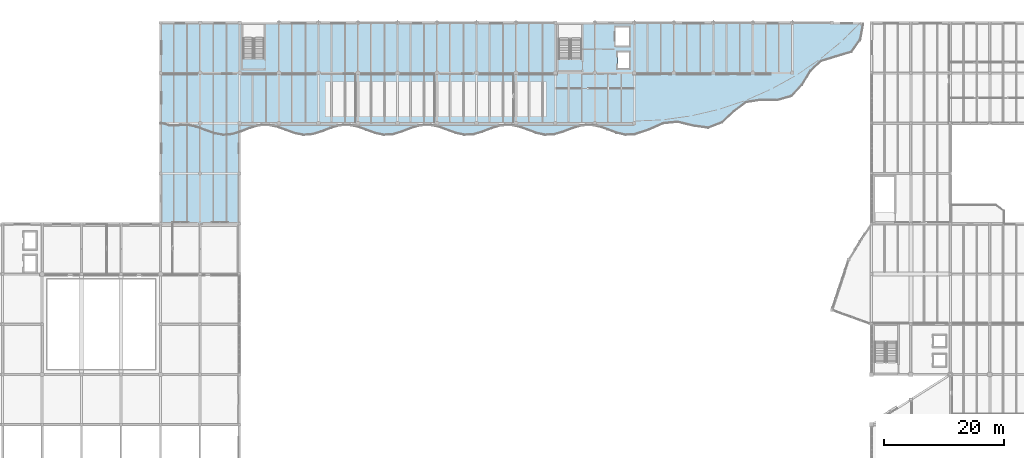
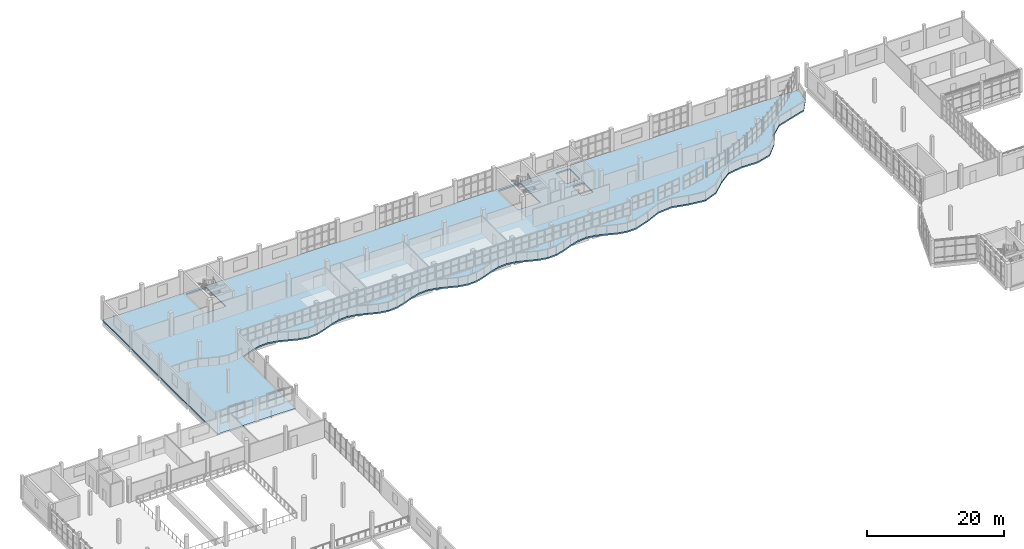
# One storey, part 35 of 74: 1 slab.
"""IFC4 building model written with IfcOpenShell, lengths in metres."""

from ifc_helpers import new_model, si_unit, direction, frame, origin, place, context, subcontext, project, spatial, polyline, outline, extrude, material, layer, layer_set, type_object, element, save


model = new_model("IFC4")

# Units and contexts
model_context = context("Model", 3, precision=1e-05, world=origin(), true_north=direction((0.0, 1.0)))
body_context = subcontext(model_context, "Body", "Model", "MODEL_VIEW")
ifc_project = project(units=[si_unit("LENGTHUNIT", "METRE"), si_unit("AREAUNIT", "SQUARE_METRE"), si_unit("VOLUMEUNIT", "CUBIC_METRE"), si_unit("PLANEANGLEUNIT", "RADIAN"), si_unit("MASSUNIT", "GRAM", prefix="KILO")], contexts=[model_context])

# Site, building, storey
site_placement = place(None, origin())
site = spatial("IfcSite", under=ifc_project, at=site_placement, CompositionType="ELEMENT")
building_placement = place(site_placement, origin())
building = spatial("IfcBuilding", under=site, at=building_placement, Name="Qaldarim Faculty of Natural and Applied Sciences", CompositionType="ELEMENT")
storey_placement = place(building_placement, frame((0.0, 0.0, 14.39990234375)))
storey = spatial("IfcBuildingStorey", under=building, at=storey_placement, Name="L03", CompositionType="ELEMENT", Elevation=14.39990234375)

# Slab
ifc_material = material(Name="Concrete C40/50", Category="concrete")
ifc_layer = layer(ifc_material, 0.260009765625)
ifc_layer_set = layer_set([ifc_layer], Name="Concrete C40/50")
slab_type = type_object("IfcSlabType", Name="LaboratoryFloorSlab-260", PredefinedType="FLOOR", material=ifc_layer_set)
slab_placement = place(storey_placement, frame((0.0, 0.0, -0.260009765625)))
element("IfcSlab", 1, at=slab_placement, inside=storey, type_object=slab_type, Name="Floor slab L03 V4", PredefinedType="FLOOR", context=body_context, shape_type="SweptSolid", body=[
    extrude(outline(polyline([(33.0, 84.0), (33.0, 117.60009765625), (150.47509765625, 117.60009765625), (149.955078125, 114.735107421875), (148.485107421875, 112.68505859375), (145.89501953125, 111.919921875), (143.425048828125, 111.155029296875), (141.64990234375, 109.514892578125), (140.2548828125, 107.195068359375), (138.489990234375, 105.300048828125), (136.050048828125, 104.610107421875), (133.324951171875, 104.675048828125), (130.889892578125, 104.27001953125), (128.8701171875, 102.77490234375), (126.8798828125, 100.9150390625), (124.550048828125, 99.9951171875), (121.949951171875, 100.35498046875), (119.389892578125, 100.985107421875), (117.0, 100.7451171875), (114.639892578125, 99.68994140625), (112.199951171875, 98.8798828125), (110.705078125, 98.824951171875), (109.2099609375, 99.155029296875), (107.715087890625, 99.715087890625), (106.22509765625, 100.239990234375), (104.72998046875, 100.4951171875), (103.235107421875, 100.35498046875), (101.739990234375, 99.889892578125), (100.2451171875, 99.31005859375), (98.75, 98.889892578125), (97.2548828125, 98.820068359375), (95.760009765625, 99.139892578125), (94.27001953125, 99.695068359375), (92.77490234375, 100.22509765625), (91.280029296875, 100.4951171875), (89.784912109375, 100.364990234375), (88.2900390625, 99.909912109375), (86.794921875, 99.330078125), (85.300048828125, 98.89990234375), (83.81005859375, 98.820068359375), (82.31494140625, 99.125), (80.820068359375, 99.675048828125), (79.324951171875, 100.2099609375), (77.830078125, 100.489990234375), (76.3349609375, 100.3798828125), (74.840087890625, 99.929931640625), (73.344970703125, 99.35009765625), (71.85498046875, 98.909912109375), (70.360107421875, 98.81494140625), (68.864990234375, 99.10498046875), (67.3701171875, 99.655029296875), (65.875, 100.195068359375), (64.3798828125, 100.485107421875), (62.885009765625, 100.389892578125), (61.389892578125, 99.945068359375), (59.89990234375, 99.364990234375), (58.405029296875, 98.919921875), (56.909912109375, 98.81005859375), (55.4150390625, 99.090087890625), (53.919921875, 99.6298828125), (52.425048828125, 100.179931640625), (50.929931640625, 100.485107421875), (49.43994140625, 100.39990234375), (47.945068359375, 99.965087890625), (46.449951171875, 99.385009765625), (46.199951171875, 99.31005859375), (46.199951171875, 84.0), (33.0, 84.0)]), holes=[polyline([(103.35009765625, 111.514892578125), (103.35009765625, 117.219970703125), (99.550048828125, 117.219970703125), (99.550048828125, 111.514892578125), (103.35009765625, 111.514892578125)]), polyline([(50.300048828125, 111.614990234375), (50.300048828125, 117.219970703125), (46.800048828125, 117.219970703125), (46.800048828125, 111.614990234375), (50.300048828125, 111.614990234375)]), polyline([(109.449951171875, 109.949951171875), (111.35009765625, 109.949951171875), (111.35009765625, 112.64990234375), (109.449951171875, 112.64990234375), (109.449951171875, 109.949951171875)]), polyline([(109.050048828125, 113.75), (111.35009765625, 113.75), (111.35009765625, 116.85009765625), (109.050048828125, 116.85009765625), (109.050048828125, 113.75)])]), origin(), (0.0, 0.0, 1.0), 0.260009765625),
])

save(model, "model.ifc")
